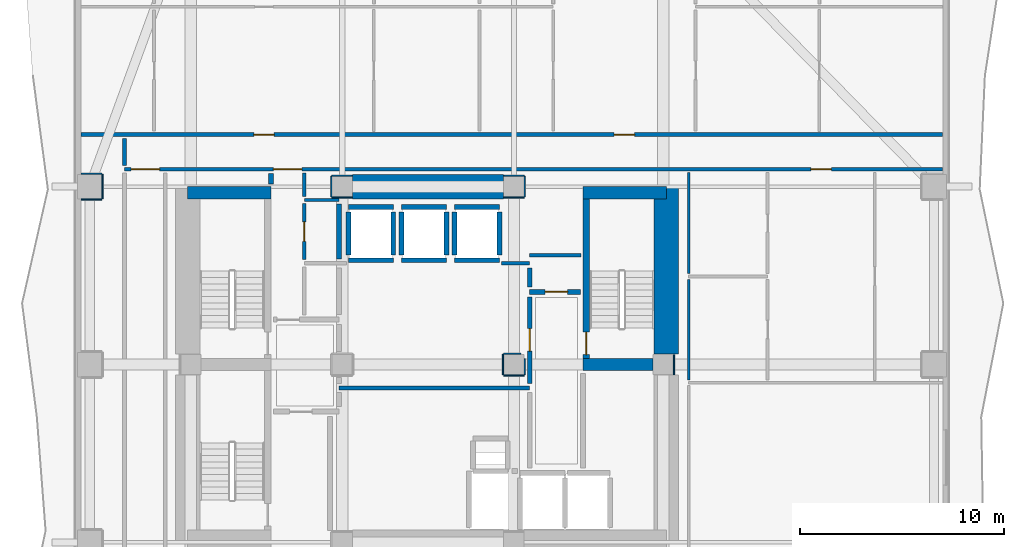
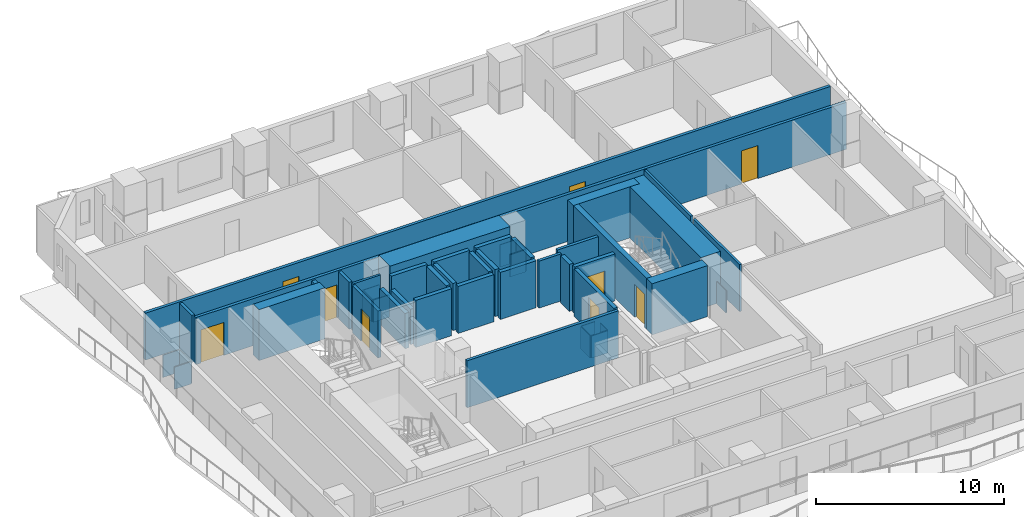
# One storey, part 4 of 11: 48 walls, 9 doors, 9 openings.
"""IFC4 building model written with IfcOpenShell, lengths in metres."""

from ifc_helpers import new_model, si_unit, direction, frame, frame_2d, origin, place, context, subcontext, project, spatial, rectangle, extrude, material, layer, layer_set, type_object, element, fill, save


model = new_model("IFC4")

# Units and contexts
model_context = context("Model", 3, precision=1e-05, world=origin(), true_north=direction((0.0, 1.0)))
body_context = subcontext(model_context, "Body", "Model", "MODEL_VIEW")
ifc_project = project(units=[si_unit("LENGTHUNIT", "METRE"), si_unit("AREAUNIT", "SQUARE_METRE"), si_unit("VOLUMEUNIT", "CUBIC_METRE"), si_unit("PLANEANGLEUNIT", "RADIAN"), si_unit("MASSUNIT", "GRAM", prefix="KILO")], contexts=[model_context])

# Site, building, storey
site_placement = place(None, origin())
site = spatial("IfcSite", under=ifc_project, at=site_placement, CompositionType="ELEMENT")
building_placement = place(site_placement, origin())
building = spatial("IfcBuilding", under=site, at=building_placement, Name="Solanera Arch Residences", CompositionType="ELEMENT")
storey_placement = place(building_placement, frame((0.0, 0.0, 68.47998046875)))
storey = spatial("IfcBuildingStorey", under=building, at=storey_placement, Name="L19", CompositionType="ELEMENT", Elevation=68.47998046875)

# Walls
ifc_material_1 = material(Name="Fire-Rated Gypsum Stud Partition", Category="gypsum")
ifc_layer_1 = layer(ifc_material_1, 0.06005859375)
ifc_layer_set_1 = layer_set([ifc_layer_1], Name="Fire-Rated Gypsum Stud Partition")
wall_type_1 = type_object("IfcWallType", Name="Column Acoustic Furring Wall 60", PredefinedType="PARTITIONING", material=ifc_layer_set_1)
for number, where, z_axis, x_axis, name in (
    (1, (20.300048828125, 38.867919921875, 0.0), (0.0, 0.0, 1.0), (1.0, 0.0, 0.0), "L19 Column Furring 3S"),
    (2, (20.300048828125, 39.931884765625, 0.0), (0.0, 0.0, 1.0), (1.0, 0.0, 0.0), "L19 Column Furring 3N"),
):
    element("IfcWall", number, at=place(storey_placement, frame(where, z_axis=z_axis, x_axis=x_axis)), inside=storey, type_object=wall_type_1, Name=name, PredefinedType="PARTITIONING", context=body_context, shape_type="SweptSolid", body=[
        extrude(rectangle(XDim=0.989990234375, YDim=0.06005859375, at=frame_2d((0.4951171875, 0.0))), origin(), (0.0, 0.0, 1.0), 1.449951171875),
    ])
wall_1_placement = place(storey_placement, frame((20.26806640625, 38.89990234375, 0.0), z_axis=(0.0, 0.0, 1.0), x_axis=(0.0, 1.0, 0.0)))
element("IfcWall", 3, at=wall_1_placement, inside=storey, type_object=wall_type_1, Name="L19 Column Furring 3W", PredefinedType="PARTITIONING", context=body_context, shape_type="SweptSolid", body=[
    extrude(rectangle(XDim=1.0, YDim=0.06005859375, at=frame_2d((0.5, 0.0))), origin(), (0.0, 0.0, 1.0), 1.449951171875),
])
for number, where, z_axis, x_axis, name in (
    (4, (28.7099609375, 38.867919921875, 0.0), (0.0, 0.0, 1.0), (1.0, 0.0, 0.0), "L19 Column Furring 4S"),
    (5, (28.7099609375, 39.931884765625, 0.0), (0.0, 0.0, 1.0), (1.0, 0.0, 0.0), "L19 Column Furring 4N"),
):
    element("IfcWall", number, at=place(storey_placement, frame(where, z_axis=z_axis, x_axis=x_axis)), inside=storey, type_object=wall_type_1, Name=name, PredefinedType="PARTITIONING", context=body_context, shape_type="SweptSolid", body=[
        extrude(rectangle(XDim=0.989990234375, YDim=0.06005859375, at=frame_2d((0.4951171875, 0.0))), origin(), (0.0, 0.0, 1.0), 1.449951171875),
    ])
wall_2_placement = place(storey_placement, frame((29.73193359375, 38.89990234375, 0.0), z_axis=(0.0, 0.0, 1.0), x_axis=(0.0, 1.0, 0.0)))
element("IfcWall", 6, at=wall_2_placement, inside=storey, type_object=wall_type_1, Name="L19 Column Furring 4E", PredefinedType="PARTITIONING", context=body_context, shape_type="SweptSolid", body=[
    extrude(rectangle(XDim=1.0, YDim=0.06005859375, at=frame_2d((0.5, 0.0))), origin(), (0.0, 0.0, 1.0), 1.449951171875),
])
wall_3_placement = place(storey_placement, frame((37.031982421875, 30.2099609375, 0.0), z_axis=(0.0, 0.0, 1.0), x_axis=(0.0, 1.0, 0.0)))
element("IfcWall", 7, at=wall_3_placement, inside=storey, type_object=wall_type_1, Name="L19 Column Furring 6E", PredefinedType="PARTITIONING", context=body_context, shape_type="SweptSolid", body=[
    extrude(rectangle(XDim=0.97998046875, YDim=0.06005859375, at=frame_2d((0.489990234375, 0.0))), origin(), (0.0, 0.0, 1.0), 1.449951171875),
])
wall_4_placement = place(storey_placement, frame((28.699951171875, 30.16796875, 0.0), z_axis=(0.0, 0.0, 1.0), x_axis=(1.0, 0.0, 0.0)))
element("IfcWall", 8, at=wall_4_placement, inside=storey, type_object=wall_type_1, Name="L19 Column Furring 8S", PredefinedType="PARTITIONING", context=body_context, shape_type="SweptSolid", body=[
    extrude(rectangle(XDim=1.0, YDim=0.06005859375, at=frame_2d((0.5, 0.0))), origin(), (0.0, 0.0, 1.0), 1.449951171875),
])
wall_5_placement = place(storey_placement, frame((28.699951171875, 31.23193359375, 0.0), z_axis=(0.0, 0.0, 1.0), x_axis=(1.0, 0.0, 0.0)))
element("IfcWall", 9, at=wall_5_placement, inside=storey, type_object=wall_type_1, Name="L19 Column Furring 8N", PredefinedType="PARTITIONING", context=body_context, shape_type="SweptSolid", body=[
    extrude(rectangle(XDim=0.841064453125, YDim=0.06005859375, at=frame_2d((0.42041015625, 0.0))), origin(), (0.0, 0.0, 1.0), 1.449951171875),
])
wall_6_placement = place(storey_placement, frame((28.66796875, 30.199951171875, 0.0), z_axis=(0.0, 0.0, 1.0), x_axis=(0.0, 1.0, 0.0)))
element("IfcWall", 10, at=wall_6_placement, inside=storey, type_object=wall_type_1, Name="L19 Column Furring 8W", PredefinedType="PARTITIONING", context=body_context, shape_type="SweptSolid", body=[
    extrude(rectangle(XDim=1.0, YDim=0.06005859375, at=frame_2d((0.5, 0.0))), origin(), (0.0, 0.0, 1.0), 1.449951171875),
])
wall_7_placement = place(storey_placement, frame((29.73193359375, 30.199951171875, 0.0), z_axis=(0.0, 0.0, 1.0), x_axis=(0.0, 1.0, 0.0)))
element("IfcWall", 11, at=wall_7_placement, inside=storey, type_object=wall_type_1, Name="L19 Column Furring 8E", PredefinedType="PARTITIONING", context=body_context, shape_type="SweptSolid", body=[
    extrude(rectangle(XDim=0.77197265625, YDim=0.06005859375, at=frame_2d((0.385986328125, 0.0))), origin(), (0.0, 0.0, 1.0), 1.449951171875),
])
for number, where, z_axis, x_axis, name in (
    (12, (8.030029296875, 38.76806640625, 0.0), (0.0, 0.0, 1.0), (1.0, 0.0, 0.0), "L19 Column Furring 21S"),
    (13, (8.030029296875, 40.031982421875, 0.0), (0.0, 0.0, 1.0), (1.0, 0.0, 0.0), "L19 Column Furring 21N"),
):
    element("IfcWall", number, at=place(storey_placement, frame(where, z_axis=z_axis, x_axis=x_axis)), inside=storey, type_object=wall_type_1, Name=name, PredefinedType="PARTITIONING", context=body_context, shape_type="SweptSolid", body=[
        extrude(rectangle(XDim=1.02001953125, YDim=0.06005859375, at=frame_2d((0.510009765625, 0.0))), origin(), (0.0, 0.0, 1.0), 1.449951171875),
    ])
wall_8_placement = place(storey_placement, frame((9.08203125, 38.800048828125, 0.0), z_axis=(0.0, 0.0, 1.0), x_axis=(0.0, 1.0, 0.0)))
element("IfcWall", 14, at=wall_8_placement, inside=storey, type_object=wall_type_1, Name="L19 Column Furring 21E", PredefinedType="PARTITIONING", context=body_context, shape_type="SweptSolid", body=[
    extrude(rectangle(XDim=1.199951171875, YDim=0.06005859375, at=frame_2d((0.60009765625, 0.0))), origin(), (0.0, 0.0, 1.0), 1.449951171875),
])
ifc_material_2 = material(Name="Concrete C55/67 (f'c = 60 MPa)", Category="concrete")
ifc_layer_2 = layer(ifc_material_2, 1.199951171875)
ifc_layer_set_2 = layer_set([ifc_layer_2], Name="Concrete C55/67 (f'c = 60 MPa)")
wall_type_2 = type_object("IfcWallType", Name="Core Shear Wall CW-1200", PredefinedType="SHEAR", material=ifc_layer_set_2)
wall_9_placement = place(storey_placement, frame((36.659912109375, 31.205078125, 0.0), z_axis=(0.0, 0.0, 1.0), x_axis=(0.0, 1.0, 0.0)))
element("IfcWall", 15, at=wall_9_placement, inside=storey, type_object=wall_type_2, Name="L19 East Core North Shear Wall", PredefinedType="SHEAR", context=body_context, shape_type="SweptSolid", body=[
    extrude(rectangle(XDim=8.19482421875, YDim=1.199951171875, at=frame_2d((4.097412109375, 0.0))), origin(), (0.0, 0.0, 1.0), 3.320068359375),
])
wall_10_placement = place(storey_placement, frame((21.304931640625, 39.39990234375, 0.0), z_axis=(0.0, 0.0, 1.0), x_axis=(1.0, 0.0, 0.0)))
element("IfcWall", 16, at=wall_10_placement, inside=storey, type_object=wall_type_2, Name="L19 Central North Core Shear Wall", PredefinedType="SHEAR", context=body_context, shape_type="SweptSolid", body=[
    extrude(rectangle(XDim=7.39013671875, YDim=1.199951171875, at=frame_2d((3.695068359375, 0.0))), origin(), (0.0, 0.0, 1.0), 3.320068359375),
])

# Wall, opening, door
ifc_material_3 = material(Name="Concrete C40/50 (f'c = 45 MPa)", Category="concrete")
ifc_layer_3 = layer(ifc_material_3, 0.320068359375)
ifc_layer_set_3 = layer_set([ifc_layer_3], Name="Concrete C40/50 (f'c = 45 MPa)")
wall_type_3 = type_object("IfcWallType", Name="Core Shear Wall CW-320", PredefinedType="SHEAR", material=ifc_layer_set_3)
wall_11_placement = place(storey_placement, frame((32.739990234375, 31.0, 0.0), z_axis=(0.0, 0.0, 1.0), x_axis=(0.0, 1.0, 0.0)))
wall_11 = element("IfcWall", 17, at=wall_11_placement, inside=storey, type_object=wall_type_3, Name="L19 Stair ST-T2 West Shear Wall", PredefinedType="SHEAR", context=body_context, shape_type="SweptSolid", body=[
    extrude(rectangle(XDim=7.800048828125, YDim=0.320068359375, at=frame_2d((3.89990234375, 0.0))), origin(), (0.0, 0.0, 1.0), 3.320068359375),
])
opening_1_placement = place(wall_11_placement, frame((0.18994140625, 0.0, 0.0)))
opening_1 = element("IfcOpeningElement", 18, at=opening_1_placement, cuts=wall_11, Name="Opening DF-01", PredefinedType="OPENING", context=body_context, shape_type="SweptSolid", body=[
    extrude(rectangle(XDim=1.10009765625, YDim=2.14990234375, at=frame_2d((0.550048828125, 1.074951171875))), frame((0.0, 0.169921875, 0.0), z_axis=(0.0, -1.0, 0.0), x_axis=(1.0, 0.0, 0.0)), (0.0, 0.0, 1.0), 0.3401),
])
ifc_material_4 = material(Name="Fire-Rated Architectural Hardwood", Category="wood")
door_type_1 = type_object("IfcDoorType", Name="Stair Exit Fire Door DF-01", OperationType="NOTDEFINED", PredefinedType="DOOR", material=ifc_material_4)
door_1_placement = place(opening_1_placement, origin())
door_1 = element("IfcDoor", 19, at=door_1_placement, inside=storey, type_object=door_type_1, Name="DR-L19-STAIR-ST-T2", OperationType="SINGLE_SWING_RIGHT", OverallHeight=2.14990234375, OverallWidth=1.10009765625, PredefinedType="DOOR", context=body_context, shape_type="SweptSolid", body=[
    extrude(rectangle(XDim=1.10009765625, YDim=2.14990234375, at=frame_2d((0.550048828125, 1.074951171875))), frame((0.0, 0.02490234375, 0.0), z_axis=(0.0, -1.0, 0.0), x_axis=(1.0, 0.0, 0.0)), (0.0, 0.0, 1.0), 0.050048828125),
])
fill(opening_1, door_1)

# Walls
ifc_material_5 = material(Name="Concrete C40/50 (f'c = 45 MPa)", Category="concrete")
ifc_layer_4 = layer(ifc_material_5, 0.60009765625)
ifc_layer_set_4 = layer_set([ifc_layer_4], Name="Concrete C40/50 (f'c = 45 MPa)")
wall_type_4 = type_object("IfcWallType", Name="Core Shear Wall CW-600", PredefinedType="SHEAR", material=ifc_layer_set_4)
wall_12_placement = place(storey_placement, frame((13.239990234375, 39.10009765625, 0.0), z_axis=(0.0, 0.0, 1.0), x_axis=(1.0, 0.0, 0.0)))
element("IfcWall", 20, at=wall_12_placement, inside=storey, type_object=wall_type_4, Name="L19 North-West Core Shear Wall", PredefinedType="SHEAR", context=body_context, shape_type="SweptSolid", body=[
    extrude(rectangle(XDim=4.080078125, YDim=0.60009765625, at=frame_2d((2.0400390625, 0.0))), origin(), (0.0, 0.0, 1.0), 3.320068359375),
])
wall_13_placement = place(storey_placement, frame((32.580078125, 39.10009765625, 0.0), z_axis=(0.0, 0.0, 1.0), x_axis=(1.0, 0.0, 0.0)))
element("IfcWall", 21, at=wall_13_placement, inside=storey, type_object=wall_type_4, Name="L19 North-East Core Shear Wall", PredefinedType="SHEAR", context=body_context, shape_type="SweptSolid", body=[
    extrude(rectangle(XDim=4.079833984375, YDim=0.60009765625, at=frame_2d((2.0400390625, 0.0))), origin(), (0.0, 0.0, 1.0), 3.320068359375),
])
wall_14_placement = place(storey_placement, frame((32.580078125, 30.699951171875, 0.0), z_axis=(0.0, 0.0, 1.0), x_axis=(1.0, 0.0, 0.0)))
element("IfcWall", 22, at=wall_14_placement, inside=storey, type_object=wall_type_4, Name="L19 East Stair Far-Landing Shear Wall", PredefinedType="SHEAR", context=body_context, shape_type="SweptSolid", body=[
    extrude(rectangle(XDim=3.4150390625, YDim=0.60009765625, at=frame_2d((1.70751953125, 0.0))), origin(), (0.0, 0.0, 1.0), 3.320068359375),
])
ifc_material_6 = material(Name="Autoclaved Aerated Concrete Blockwork", Category="masonry")
ifc_layer_5 = layer(ifc_material_6, 0.179931640625)
ifc_layer_set_5 = layer_set([ifc_layer_5], Name="Autoclaved Aerated Concrete Blockwork")
wall_type_5 = type_object("IfcWallType", Name="Corridor Fire Partition 180", PredefinedType="PARTITIONING", material=ifc_layer_set_5)
wall_15_placement = place(storey_placement, frame((20.64990234375, 29.550048828125, 0.0), z_axis=(0.0, 0.0, 1.0), x_axis=(1.0, 0.0, 0.0)))
element("IfcWall", 23, at=wall_15_placement, inside=storey, type_object=wall_type_5, Name="L19 Interior Partition H7", PredefinedType="PARTITIONING", context=body_context, shape_type="SweptSolid", body=[
    extrude(rectangle(XDim=9.3251953125, YDim=0.179931640625, at=frame_2d((4.66259765625, 0.0))), origin(), (0.0, 0.0, 1.0), 3.06005859375),
])
wall_16_placement = place(storey_placement, frame((28.593017578125, 35.64990234375, 0.0), z_axis=(0.0, 0.0, 1.0), x_axis=(1.0, 0.0, 0.0)))
element("IfcWall", 24, at=wall_16_placement, inside=storey, type_object=wall_type_5, Name="L19 Interior Partition H8 2", PredefinedType="PARTITIONING", context=body_context, shape_type="SweptSolid", body=[
    extrude(rectangle(XDim=1.382080078125, YDim=0.179931640625, at=frame_2d((0.69091796875, 0.0))), origin(), (0.0, 0.0, 1.0), 3.06005859375),
])
wall_17_placement = place(storey_placement, frame((29.97509765625, 36.050048828125, 0.0), z_axis=(0.0, 0.0, 1.0), x_axis=(1.0, 0.0, 0.0)))
element("IfcWall", 25, at=wall_17_placement, inside=storey, type_object=wall_type_5, Name="L19 Interior Partition H9", PredefinedType="PARTITIONING", context=body_context, shape_type="SweptSolid", body=[
    extrude(rectangle(XDim=2.5048828125, YDim=0.179931640625, at=frame_2d((1.25244140625, 0.0))), origin(), (0.0, 0.0, 1.0), 3.06005859375),
])

# Wall, openings, doors
wall_18_placement = place(storey_placement, frame((10.14990234375, 40.25, 0.0), z_axis=(0.0, 0.0, 1.0), x_axis=(1.0, 0.0, 0.0)))
wall_18 = element("IfcWall", 26, at=wall_18_placement, inside=storey, type_object=wall_type_5, Name="L19 Interior Partition H10", PredefinedType="PARTITIONING", context=body_context, shape_type="SweptSolid", body=[
    extrude(rectangle(XDim=40.023193359375, YDim=0.179931640625, at=frame_2d((20.01171875, 0.0))), origin(), (0.0, 0.0, 1.0), 3.06005859375),
])
opening_2_placement = place(wall_18_placement, frame((7.284912109375, 0.0, 0.0)))
opening_2 = element("IfcOpeningElement", 27, at=opening_2_placement, cuts=wall_18, Name="Opening DF-03", PredefinedType="OPENING", context=body_context, shape_type="SweptSolid", body=[
    extrude(rectangle(XDim=1.39990234375, YDim=2.14990234375, at=frame_2d((0.699951171875, 1.074951171875))), frame((0.0, 0.10009765625, 0.0), z_axis=(0.0, -1.0, 0.0), x_axis=(1.0, 0.0, 0.0)), (0.0, 0.0, 1.0), 0.1999),
])
opening_3_placement = place(wall_18_placement, frame((0.323974609375, 0.0, 0.0)))
opening_3 = element("IfcOpeningElement", 28, at=opening_3_placement, cuts=wall_18, Name="Opening DF-03", PredefinedType="OPENING", context=body_context, shape_type="SweptSolid", body=[
    extrude(rectangle(XDim=1.39990234375, YDim=2.14990234375, at=frame_2d((0.699951171875, 1.074951171875))), frame((0.0, 0.10009765625, 0.0), z_axis=(0.0, -1.0, 0.0), x_axis=(1.0, 0.0, 0.0)), (0.0, 0.0, 1.0), 0.1999),
])
opening_4_placement = place(wall_18_placement, frame((33.573974609375, 0.0, 0.0)))
opening_4 = element("IfcOpeningElement", 29, at=opening_4_placement, cuts=wall_18, Name="Opening DI-01", PredefinedType="OPENING", context=body_context, shape_type="SweptSolid", body=[
    extrude(rectangle(XDim=1.0, YDim=2.14990234375, at=frame_2d((0.5, 1.074951171875))), frame((0.0, 0.10009765625, 0.0), z_axis=(0.0, -1.0, 0.0), x_axis=(1.0, 0.0, 0.0)), (0.0, 0.0, 1.0), 0.1999),
])
ifc_material_7 = material(Name="Fire-Rated Architectural Hardwood", Category="wood")
door_type_2 = type_object("IfcDoorType", Name="Corridor Smoke Door DF-03", OperationType="NOTDEFINED", PredefinedType="DOOR", material=ifc_material_7)
door_2_placement = place(opening_2_placement, origin())
door_2 = element("IfcDoor", 30, at=door_2_placement, inside=storey, type_object=door_type_2, Name="DR-L19-IN-009", OperationType="SINGLE_SWING_LEFT", OverallHeight=2.14990234375, OverallWidth=1.39990234375, PredefinedType="DOOR", context=body_context, shape_type="SweptSolid", body=[
    extrude(rectangle(XDim=1.39990234375, YDim=2.14990234375, at=frame_2d((0.699951171875, 1.074951171875))), frame((0.0, 0.02490234375, 0.0), z_axis=(0.0, -1.0, 0.0), x_axis=(1.0, 0.0, 0.0)), (0.0, 0.0, 1.0), 0.050048828125),
])
fill(opening_2, door_2)
door_3_placement = place(opening_3_placement, origin())
door_3 = element("IfcDoor", 31, at=door_3_placement, inside=storey, type_object=door_type_2, Name="DR-L19-IN-011", OperationType="SINGLE_SWING_LEFT", OverallHeight=2.14990234375, OverallWidth=1.39990234375, PredefinedType="DOOR", context=body_context, shape_type="SweptSolid", body=[
    extrude(rectangle(XDim=1.39990234375, YDim=2.14990234375, at=frame_2d((0.699951171875, 1.074951171875))), frame((0.0, 0.02490234375, 0.0), z_axis=(0.0, -1.0, 0.0), x_axis=(1.0, 0.0, 0.0)), (0.0, 0.0, 1.0), 0.050048828125),
])
fill(opening_3, door_3)
ifc_material_8 = material(Name="Fire-Rated Architectural Hardwood", Category="wood")
door_type_3 = type_object("IfcDoorType", Name="Unit Entrance Fire Door DI-01", OperationType="NOTDEFINED", PredefinedType="DOOR", material=ifc_material_8)
door_4_placement = place(opening_4_placement, origin())
door_4 = element("IfcDoor", 32, at=door_4_placement, inside=storey, type_object=door_type_3, Name="DR-L19-IN-039", OperationType="SINGLE_SWING_LEFT", OverallHeight=2.14990234375, OverallWidth=1.0, PredefinedType="DOOR", context=body_context, shape_type="SweptSolid", body=[
    extrude(rectangle(XDim=1.0, YDim=2.14990234375, at=frame_2d((0.5, 1.074951171875))), frame((0.0, 0.02490234375, 0.0), z_axis=(0.0, -1.0, 0.0), x_axis=(1.0, 0.0, 0.0)), (0.0, 0.0, 1.0), 0.050048828125),
])
fill(opening_4, door_4)

wall_19_placement = place(storey_placement, frame((8.027099609375, 41.949951171875, 0.0), z_axis=(0.0, 0.0, 1.0), x_axis=(1.0, 0.0, 0.0)))
wall_19 = element("IfcWall", 33, at=wall_19_placement, inside=storey, type_object=wall_type_5, Name="L19 Interior Partition H11", PredefinedType="PARTITIONING", context=body_context, shape_type="SweptSolid", body=[
    extrude(rectangle(XDim=42.14599609375, YDim=0.179931640625, at=frame_2d((21.072998046875, 0.0))), origin(), (0.0, 0.0, 1.0), 3.06005859375),
])
opening_5_placement = place(wall_19_placement, frame((8.450927734375, 0.0, 0.0)))
opening_5 = element("IfcOpeningElement", 34, at=opening_5_placement, cuts=wall_19, Name="Opening DI-01", PredefinedType="OPENING", context=body_context, shape_type="SweptSolid", body=[
    extrude(rectangle(XDim=1.0, YDim=2.14990234375, at=frame_2d((0.5, 1.074951171875))), frame((0.0, 0.10009765625, 0.0), z_axis=(0.0, -1.0, 0.0), x_axis=(1.0, 0.0, 0.0)), (0.0, 0.0, 1.0), 0.1999),
])
opening_6_placement = place(wall_19_placement, frame((26.074951171875, 0.0, 0.0)))
opening_6 = element("IfcOpeningElement", 35, at=opening_6_placement, cuts=wall_19, Name="Opening DI-01", PredefinedType="OPENING", context=body_context, shape_type="SweptSolid", body=[
    extrude(rectangle(XDim=1.0, YDim=2.14990234375, at=frame_2d((0.5, 1.074951171875))), frame((0.0, 0.10009765625, 0.0), z_axis=(0.0, -1.0, 0.0), x_axis=(1.0, 0.0, 0.0)), (0.0, 0.0, 1.0), 0.1999),
])
door_5_placement = place(opening_5_placement, origin())
door_5 = element("IfcDoor", 36, at=door_5_placement, inside=storey, type_object=door_type_3, Name="DR-L19-IN-025", OperationType="SINGLE_SWING_LEFT", OverallHeight=2.14990234375, OverallWidth=1.0, PredefinedType="DOOR", context=body_context, shape_type="SweptSolid", body=[
    extrude(rectangle(XDim=1.0, YDim=2.14990234375, at=frame_2d((0.5, 1.074951171875))), frame((0.0, 0.02490234375, 0.0), z_axis=(0.0, -1.0, 0.0), x_axis=(1.0, 0.0, 0.0)), (0.0, 0.0, 1.0), 0.050048828125),
])
fill(opening_5, door_5)
door_6_placement = place(opening_6_placement, origin())
door_6 = element("IfcDoor", 37, at=door_6_placement, inside=storey, type_object=door_type_3, Name="DR-L19-IN-031", OperationType="SINGLE_SWING_LEFT", OverallHeight=2.14990234375, OverallWidth=1.0, PredefinedType="DOOR", context=body_context, shape_type="SweptSolid", body=[
    extrude(rectangle(XDim=1.0, YDim=2.14990234375, at=frame_2d((0.5, 1.074951171875))), frame((0.0, 0.02490234375, 0.0), z_axis=(0.0, -1.0, 0.0), x_axis=(1.0, 0.0, 0.0)), (0.0, 0.0, 1.0), 0.050048828125),
])
fill(opening_6, door_6)

# Wall
wall_20_placement = place(storey_placement, frame((10.14990234375, 40.43798828125, 0.0), z_axis=(0.0, 0.0, 1.0), x_axis=(0.0, 1.0, 0.0)))
element("IfcWall", 38, at=wall_20_placement, inside=storey, type_object=wall_type_5, Name="L19 Interior Partition V6 3", PredefinedType="PARTITIONING", context=body_context, shape_type="SweptSolid", body=[
    extrude(rectangle(XDim=1.323974609375, YDim=0.179931640625, at=frame_2d((0.662109375, 0.0))), origin(), (0.0, 0.0, 1.0), 3.06005859375),
])

# Wall, opening, door
wall_21_placement = place(storey_placement, frame((18.949951171875, 35.837890625, 0.0), z_axis=(0.0, 0.0, 1.0), x_axis=(0.0, 1.0, 0.0)))
wall_21 = element("IfcWall", 39, at=wall_21_placement, inside=storey, type_object=wall_type_5, Name="L19 Interior Partition V8 2", PredefinedType="PARTITIONING", context=body_context, shape_type="SweptSolid", body=[
    extrude(rectangle(XDim=2.744140625, YDim=0.179931640625, at=frame_2d((1.3720703125, 0.0))), origin(), (0.0, 0.0, 1.0), 3.06005859375),
])
opening_7_placement = place(wall_21_placement, frame((0.886962890625, 0.0, 0.0)))
opening_7 = element("IfcOpeningElement", 40, at=opening_7_placement, cuts=wall_21, Name="Opening DI-04", PredefinedType="OPENING", context=body_context, shape_type="SweptSolid", body=[
    extrude(rectangle(XDim=0.949951171875, YDim=2.10009765625, at=frame_2d((0.47509765625, 1.050048828125))), frame((0.0, 0.10009765625, 0.0), z_axis=(0.0, -1.0, 0.0), x_axis=(1.0, 0.0, 0.0)), (0.0, 0.0, 1.0), 0.1999),
])
ifc_material_9 = material(Name="Fire-Rated Architectural Hardwood", Category="wood")
door_type_4 = type_object("IfcDoorType", Name="Accessible Restroom Door DI-04", OperationType="NOTDEFINED", PredefinedType="DOOR", material=ifc_material_9)
door_7_placement = place(opening_7_placement, origin())
door_7 = element("IfcDoor", 41, at=door_7_placement, inside=storey, type_object=door_type_4, Name="DR-L19-IN-012", OperationType="SINGLE_SWING_RIGHT", OverallHeight=2.10009765625, OverallWidth=0.949951171875, PredefinedType="DOOR", context=body_context, shape_type="SweptSolid", body=[
    extrude(rectangle(XDim=0.949951171875, YDim=2.10009765625, at=frame_2d((0.47509765625, 1.050048828125))), frame((0.0, 0.02490234375, 0.0), z_axis=(0.0, -1.0, 0.0), x_axis=(1.0, 0.0, 0.0)), (0.0, 0.0, 1.0), 0.050048828125),
])
fill(opening_7, door_7)

# Walls
wall_22_placement = place(storey_placement, frame((18.949951171875, 38.91796875, 0.0), z_axis=(0.0, 0.0, 1.0), x_axis=(0.0, 1.0, 0.0)))
element("IfcWall", 42, at=wall_22_placement, inside=storey, type_object=wall_type_5, Name="L19 Interior Partition V8 3", PredefinedType="PARTITIONING", context=body_context, shape_type="SweptSolid", body=[
    extrude(rectangle(XDim=1.14404296875, YDim=0.179931640625, at=frame_2d((0.572021484375, 0.0))), origin(), (0.0, 0.0, 1.0), 3.06005859375),
])
ifc_material_10 = material(Name="Autoclaved Aerated Concrete Blockwork", Category="masonry")
ifc_layer_6 = layer(ifc_material_10, 0.239990234375)
ifc_layer_set_6 = layer_set([ifc_layer_6], Name="Autoclaved Aerated Concrete Blockwork")
wall_type_6 = type_object("IfcWallType", Name="Shaft Wall Fire-Rated 240", PredefinedType="PARTITIONING", material=ifc_layer_set_6)
for number, where, z_axis, x_axis, name in (
    (43, (21.10009765625, 35.800048828125, 0.0), (0.0, 0.0, 1.0), (1.0, 0.0, 0.0), "L19 Lift PL-L1 Hoistway Wall S"),
    (44, (21.10009765625, 38.39990234375, 0.0), (0.0, 0.0, 1.0), (1.0, 0.0, 0.0), "L19 Lift PL-L1 Hoistway Wall N"),
):
    element("IfcWall", number, at=place(storey_placement, frame(where, z_axis=z_axis, x_axis=x_axis)), inside=storey, type_object=wall_type_6, Name=name, PredefinedType="PARTITIONING", context=body_context, shape_type="SweptSolid", body=[
        extrude(rectangle(XDim=2.199951171875, YDim=0.239990234375, at=frame_2d((1.10009765625, 0.0))), origin(), (0.0, 0.0, 1.0), 3.06005859375),
    ])
wall_23_placement = place(storey_placement, frame((21.10009765625, 36.048095703125, 0.0), z_axis=(0.0, 0.0, 1.0), x_axis=(0.0, 1.0, 0.0)))
element("IfcWall", 45, at=wall_23_placement, inside=storey, type_object=wall_type_6, Name="L19 Lift PL-L1 Hoistway Wall W", PredefinedType="PARTITIONING", context=body_context, shape_type="SweptSolid", body=[
    extrude(rectangle(XDim=2.10400390625, YDim=0.239990234375, at=frame_2d((1.052001953125, 0.0))), origin(), (0.0, 0.0, 1.0), 2.294921875),
])
wall_24_placement = place(storey_placement, frame((23.300048828125, 36.048095703125, 0.0), z_axis=(0.0, 0.0, 1.0), x_axis=(0.0, 1.0, 0.0)))
element("IfcWall", 46, at=wall_24_placement, inside=storey, type_object=wall_type_6, Name="L19 Lift PL-L1 Hoistway Wall E", PredefinedType="PARTITIONING", context=body_context, shape_type="SweptSolid", body=[
    extrude(rectangle(XDim=2.10400390625, YDim=0.239990234375, at=frame_2d((1.052001953125, 0.0))), origin(), (0.0, 0.0, 1.0), 3.06005859375),
])
for number, where, z_axis, x_axis, name in (
    (47, (23.699951171875, 35.800048828125, 0.0), (0.0, 0.0, 1.0), (1.0, 0.0, 0.0), "L19 Lift PL-L2 Hoistway Wall S"),
    (48, (23.699951171875, 38.39990234375, 0.0), (0.0, 0.0, 1.0), (1.0, 0.0, 0.0), "L19 Lift PL-L2 Hoistway Wall N"),
):
    element("IfcWall", number, at=place(storey_placement, frame(where, z_axis=z_axis, x_axis=x_axis)), inside=storey, type_object=wall_type_6, Name=name, PredefinedType="PARTITIONING", context=body_context, shape_type="SweptSolid", body=[
        extrude(rectangle(XDim=2.199951171875, YDim=0.239990234375, at=frame_2d((1.10009765625, 0.0))), origin(), (0.0, 0.0, 1.0), 3.06005859375),
    ])
for number, where, z_axis, x_axis, name in (
    (49, (23.699951171875, 36.048095703125, 0.0), (0.0, 0.0, 1.0), (0.0, 1.0, 0.0), "L19 Lift PL-L2 Hoistway Wall W"),
    (50, (25.89990234375, 36.048095703125, 0.0), (0.0, 0.0, 1.0), (0.0, 1.0, 0.0), "L19 Lift PL-L2 Hoistway Wall E"),
):
    element("IfcWall", number, at=place(storey_placement, frame(where, z_axis=z_axis, x_axis=x_axis)), inside=storey, type_object=wall_type_6, Name=name, PredefinedType="PARTITIONING", context=body_context, shape_type="SweptSolid", body=[
        extrude(rectangle(XDim=2.10400390625, YDim=0.239990234375, at=frame_2d((1.052001953125, 0.0))), origin(), (0.0, 0.0, 1.0), 3.06005859375),
    ])
for number, where, z_axis, x_axis, name in (
    (51, (26.300048828125, 35.800048828125, 0.0), (0.0, 0.0, 1.0), (1.0, 0.0, 0.0), "L19 Lift PL-L3 Hoistway Wall S"),
    (52, (26.300048828125, 38.39990234375, 0.0), (0.0, 0.0, 1.0), (1.0, 0.0, 0.0), "L19 Lift PL-L3 Hoistway Wall N"),
):
    element("IfcWall", number, at=place(storey_placement, frame(where, z_axis=z_axis, x_axis=x_axis)), inside=storey, type_object=wall_type_6, Name=name, PredefinedType="PARTITIONING", context=body_context, shape_type="SweptSolid", body=[
        extrude(rectangle(XDim=2.199951171875, YDim=0.239990234375, at=frame_2d((1.10009765625, 0.0))), origin(), (0.0, 0.0, 1.0), 3.06005859375),
    ])
for number, where, z_axis, x_axis, name in (
    (53, (26.300048828125, 36.048095703125, 0.0), (0.0, 0.0, 1.0), (0.0, 1.0, 0.0), "L19 Lift PL-L3 Hoistway Wall W"),
    (54, (28.5, 36.048095703125, 0.0), (0.0, 0.0, 1.0), (0.0, 1.0, 0.0), "L19 Lift PL-L3 Hoistway Wall E"),
):
    element("IfcWall", number, at=place(storey_placement, frame(where, z_axis=z_axis, x_axis=x_axis)), inside=storey, type_object=wall_type_6, Name=name, PredefinedType="PARTITIONING", context=body_context, shape_type="SweptSolid", body=[
        extrude(rectangle(XDim=2.10400390625, YDim=0.239990234375, at=frame_2d((1.052001953125, 0.0))), origin(), (0.0, 0.0, 1.0), 3.06005859375),
    ])

# Wall, opening, door
wall_25_placement = place(storey_placement, frame((29.97509765625, 34.25, 0.0), z_axis=(0.0, 0.0, 1.0), x_axis=(1.0, 0.0, 0.0)))
wall_25 = element("IfcWall", 55, at=wall_25_placement, inside=storey, type_object=wall_type_6, Name="L19 Interior Partition H5", PredefinedType="PARTITIONING", context=body_context, shape_type="SweptSolid", body=[
    extrude(rectangle(XDim=2.474853515625, YDim=0.239990234375, at=frame_2d((1.2373046875, 0.0))), origin(), (0.0, 0.0, 1.0), 3.06005859375),
])
opening_8_placement = place(wall_25_placement, frame((0.751953125, 0.0, 0.0)))
opening_8 = element("IfcOpeningElement", 56, at=opening_8_placement, cuts=wall_25, Name="Opening DF-02", PredefinedType="OPENING", context=body_context, shape_type="SweptSolid", body=[
    extrude(rectangle(XDim=1.10009765625, YDim=2.14990234375, at=frame_2d((0.550048828125, 1.074951171875))), frame((0.0, 0.1298828125, 0.0), z_axis=(0.0, -1.0, 0.0), x_axis=(1.0, 0.0, 0.0)), (0.0, 0.0, 1.0), 0.26),
])
ifc_material_11 = material(Name="Fire-Rated Architectural Hardwood", Category="wood")
door_type_5 = type_object("IfcDoorType", Name="Firefighting Lobby Fire Door DF-02", OperationType="NOTDEFINED", PredefinedType="DOOR", material=ifc_material_11)
door_8_placement = place(opening_8_placement, origin())
door_8 = element("IfcDoor", 57, at=door_8_placement, inside=storey, type_object=door_type_5, Name="DR-L19-IN-007", OperationType="SINGLE_SWING_LEFT", OverallHeight=2.14990234375, OverallWidth=1.10009765625, PredefinedType="DOOR", context=body_context, shape_type="SweptSolid", body=[
    extrude(rectangle(XDim=1.10009765625, YDim=2.14990234375, at=frame_2d((0.550048828125, 1.074951171875))), frame((0.0, 0.02490234375, 0.0), z_axis=(0.0, -1.0, 0.0), x_axis=(1.0, 0.0, 0.0)), (0.0, 0.0, 1.0), 0.050048828125),
])
fill(opening_8, door_8)

# Walls
wall_26_placement = place(storey_placement, frame((17.320068359375, 39.530029296875, 0.0), z_axis=(0.0, 0.0, 1.0), x_axis=(0.0, 1.0, 0.0)))
element("IfcWall", 58, at=wall_26_placement, inside=storey, type_object=wall_type_6, Name="L19 Interior Partition V1", PredefinedType="PARTITIONING", context=body_context, shape_type="SweptSolid", body=[
    extrude(rectangle(XDim=0.501953125, YDim=0.239990234375, at=frame_2d((0.2509765625, 0.0))), origin(), (0.0, 0.0, 1.0), 3.06005859375),
])
wall_27_placement = place(storey_placement, frame((20.64990234375, 35.867919921875, 0.0), z_axis=(0.0, 0.0, 1.0), x_axis=(0.0, 1.0, 0.0)))
element("IfcWall", 59, at=wall_27_placement, inside=storey, type_object=wall_type_6, Name="L19 Interior Partition V3 5", PredefinedType="PARTITIONING", context=body_context, shape_type="SweptSolid", body=[
    extrude(rectangle(XDim=2.68408203125, YDim=0.239990234375, at=frame_2d((1.342041015625, 0.0))), origin(), (0.0, 0.0, 1.0), 2.294921875),
])

# Wall, opening, door
wall_28_placement = place(storey_placement, frame((29.97509765625, 29.76806640625, 0.0), z_axis=(0.0, 0.0, 1.0), x_axis=(0.0, 1.0, 0.0)))
wall_28 = element("IfcWall", 60, at=wall_28_placement, inside=storey, type_object=wall_type_6, Name="L19 Interior Partition V4 2", PredefinedType="PARTITIONING", context=body_context, shape_type="SweptSolid", body=[
    extrude(rectangle(XDim=4.23388671875, YDim=0.239990234375, at=frame_2d((2.116943359375, 0.0))), origin(), (0.0, 0.0, 1.0), 3.06005859375),
])
opening_9_placement = place(wall_28_placement, frame((1.58203125, 0.0, 0.0)))
opening_9 = element("IfcOpeningElement", 61, at=opening_9_placement, cuts=wall_28, Name="Opening DF-02", PredefinedType="OPENING", context=body_context, shape_type="SweptSolid", body=[
    extrude(rectangle(XDim=1.10009765625, YDim=2.14990234375, at=frame_2d((0.550048828125, 1.074951171875))), frame((0.0, 0.1298828125, 0.0), z_axis=(0.0, -1.0, 0.0), x_axis=(1.0, 0.0, 0.0)), (0.0, 0.0, 1.0), 0.26),
])
door_9_placement = place(opening_9_placement, origin())
door_9 = element("IfcDoor", 62, at=door_9_placement, inside=storey, type_object=door_type_5, Name="DR-L19-IN-006", OperationType="SINGLE_SWING_RIGHT", OverallHeight=2.14990234375, OverallWidth=1.10009765625, PredefinedType="DOOR", context=body_context, shape_type="SweptSolid", body=[
    extrude(rectangle(XDim=1.10009765625, YDim=2.14990234375, at=frame_2d((0.550048828125, 1.074951171875))), frame((0.0, 0.02490234375, 0.0), z_axis=(0.0, -1.0, 0.0), x_axis=(1.0, 0.0, 0.0)), (0.0, 0.0, 1.0), 0.050048828125),
])
fill(opening_9, door_9)

# Walls
wall_29_placement = place(storey_placement, frame((29.97509765625, 34.498046875, 0.0), z_axis=(0.0, 0.0, 1.0), x_axis=(0.0, 1.0, 0.0)))
element("IfcWall", 63, at=wall_29_placement, inside=storey, type_object=wall_type_6, Name="L19 Interior Partition V4 3", PredefinedType="PARTITIONING", context=body_context, shape_type="SweptSolid", body=[
    extrude(rectangle(XDim=0.933837890625, YDim=0.239990234375, at=frame_2d((0.466796875, 0.0))), origin(), (0.0, 0.0, 1.0), 3.06005859375),
])
ifc_material_12 = material(Name="Autoclaved Aerated Concrete Blockwork", Category="masonry")
ifc_layer_7 = layer(ifc_material_12, 0.139892578125)
ifc_layer_set_7 = layer_set([ifc_layer_7], Name="Autoclaved Aerated Concrete Blockwork")
wall_type_7 = type_object("IfcWallType", Name="Wet-Room Partition 140", PredefinedType="PARTITIONING", material=ifc_layer_set_7)
wall_30_placement = place(storey_placement, frame((18.949951171875, 38.75, 0.0), z_axis=(0.0, 0.0, 1.0), x_axis=(1.0, 0.0, 0.0)))
element("IfcWall", 64, at=wall_30_placement, inside=storey, type_object=wall_type_7, Name="L19 Interior Partition H16", PredefinedType="PARTITIONING", context=body_context, shape_type="SweptSolid", body=[
    extrude(rectangle(XDim=1.699951171875, YDim=0.139892578125, at=frame_2d((0.85009765625, 0.0))), origin(), (0.0, 0.0, 1.0), 3.06005859375),
])
wall_31_placement = place(storey_placement, frame((37.75, 29.93798828125, 0.0), z_axis=(0.0, 0.0, 1.0), x_axis=(0.0, 1.0, 0.0)))
element("IfcWall", 65, at=wall_31_placement, inside=storey, type_object=wall_type_7, Name="L19 Interior Partition V18 2", PredefinedType="PARTITIONING", context=body_context, shape_type="SweptSolid", body=[
    extrude(rectangle(XDim=4.9140625, YDim=0.139892578125, at=frame_2d((2.45703125, 0.0))), origin(), (0.0, 0.0, 1.0), 3.06005859375),
])
wall_32_placement = place(storey_placement, frame((37.75, 35.14794921875, 0.0), z_axis=(0.0, 0.0, 1.0), x_axis=(0.0, 1.0, 0.0)))
element("IfcWall", 66, at=wall_32_placement, inside=storey, type_object=wall_type_7, Name="L19 Interior Partition V18 3", PredefinedType="PARTITIONING", context=body_context, shape_type="SweptSolid", body=[
    extrude(rectangle(XDim=4.93408203125, YDim=0.139892578125, at=frame_2d((2.467041015625, 0.0))), origin(), (0.0, 0.0, 1.0), 3.06005859375),
])

save(model, "model.ifc")
